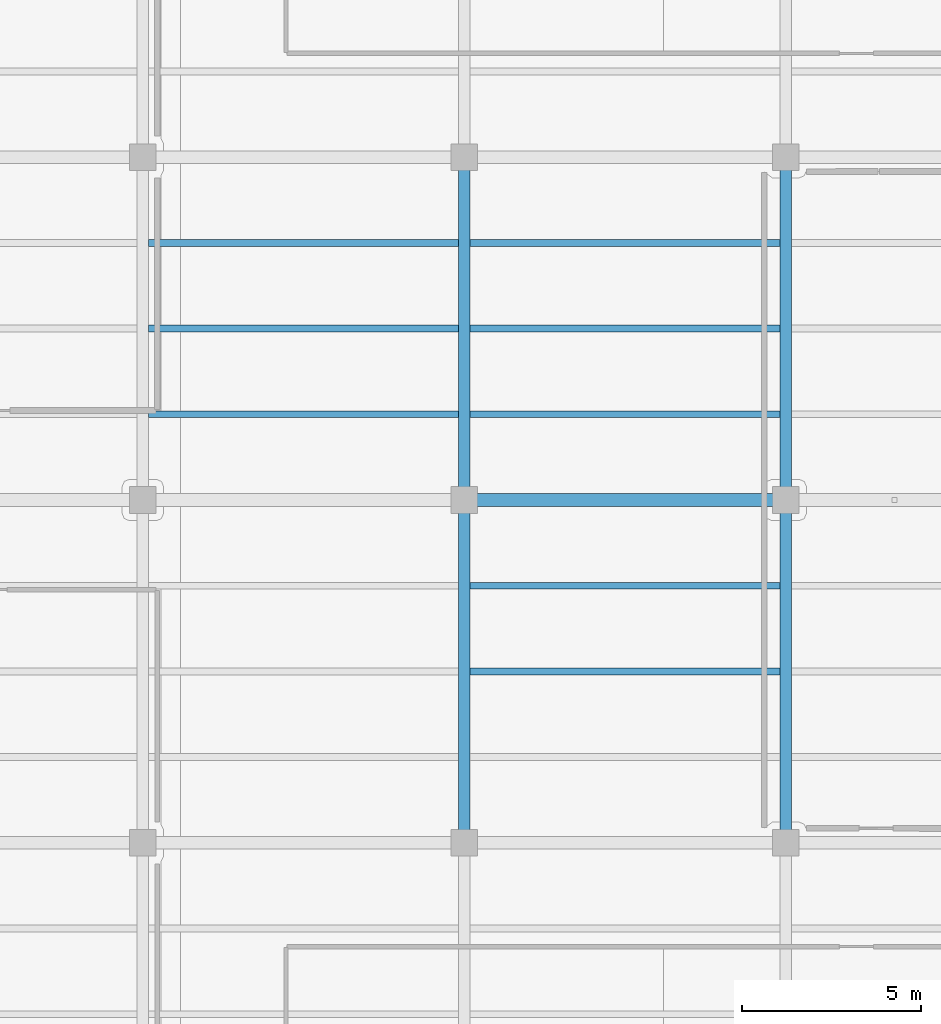
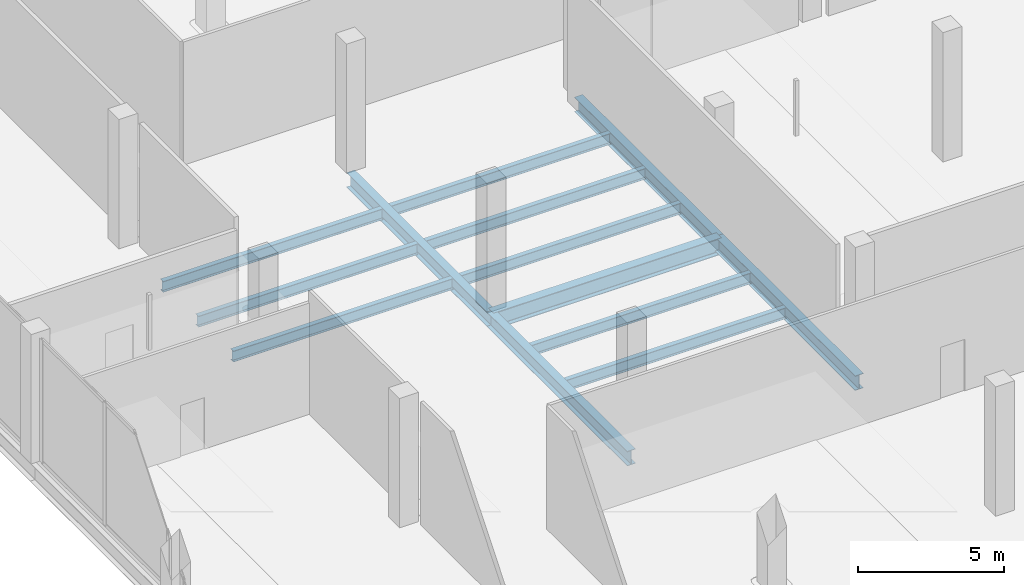
# One storey, part 10 of 47: 13 beams.
"""IFC4 building model written with IfcOpenShell, lengths in metres."""

from ifc_helpers import new_model, si_unit, direction, frame, origin, origin_2d, place, context, subcontext, project, spatial, i_section, extrude, material, material_profile, profile_set, type_object, element, save


model = new_model("IFC4")

# Units and contexts
model_context = context("Model", 3, precision=1e-05, world=origin(), true_north=direction((0.0, 1.0)))
body_context = subcontext(model_context, "Body", "Model", "MODEL_VIEW")
ifc_project = project(units=[si_unit("LENGTHUNIT", "METRE"), si_unit("AREAUNIT", "SQUARE_METRE"), si_unit("VOLUMEUNIT", "CUBIC_METRE"), si_unit("PLANEANGLEUNIT", "RADIAN"), si_unit("MASSUNIT", "GRAM", prefix="KILO")], contexts=[model_context])

# Site, building, storey
site_placement = place(None, origin())
site = spatial("IfcSite", under=ifc_project, at=site_placement, CompositionType="ELEMENT")
building_placement = place(site_placement, origin())
building = spatial("IfcBuilding", under=site, at=building_placement, Name="Qorvath Tower", CompositionType="ELEMENT")
storey_placement = place(building_placement, frame((0.0, 0.0, 6.60009765625)))
storey = spatial("IfcBuildingStorey", under=building, at=storey_placement, Name="L01", CompositionType="ELEMENT", Elevation=6.60009765625)

# Beams
ifc_material_1 = material(Name="Steel ASTM A992 Grade 50", Category="steel")
ifc_material_profile_1 = material_profile(ifc_material_1, i_section(OverallWidth=0.35595703125, OverallDepth=0.696044921875, WebThickness=0.015380859375, FlangeThickness=0.02490234375, FilletRadius=0.01806640625, at=origin_2d()), Name="W27x146")
ifc_profile_set_1 = profile_set([ifc_material_profile_1], Name="Steel ASTM A992 Grade 50")
beam_type_1 = type_object("IfcBeamType", Name="BM-FG4", PredefinedType="BEAM", material=ifc_profile_set_1)
beam_placement = place(storey_placement, frame((50.39990234375, 0.0, -0.60791015625), z_axis=(1.0, 0.0, 0.0), x_axis=(0.0, 1.0, 0.0)))
element("IfcBeam", 1, at=beam_placement, inside=storey, type_object=beam_type_1, Name="Library E-W Girder L01-5-3", PredefinedType="BEAM", context=body_context, shape_type="SweptSolid", body=[
    extrude(i_section(OverallWidth=0.35595703125, OverallDepth=0.696044921875, WebThickness=0.015380859375, FlangeThickness=0.02490234375, FilletRadius=0.01806640625, at=origin_2d()), origin(), (0.0, 0.0, 1.0), 9.0),
])
ifc_material_2 = material(Name="Steel ASTM A992 Grade 50", Category="steel")
ifc_material_profile_2 = material_profile(ifc_material_2, i_section(OverallWidth=0.324951171875, OverallDepth=0.615966796875, WebThickness=0.013916015625, FlangeThickness=0.021484375, FilletRadius=0.01611328125, at=origin_2d()), Name="W24x117")
ifc_profile_set_2 = profile_set([ifc_material_profile_2], Name="Steel ASTM A992 Grade 50")
beam_type_2 = type_object("IfcBeamType", Name="BM-FG5", PredefinedType="BEAM", material=ifc_profile_set_2)
for number, where, z_axis, x_axis, name in (
    (2, (50.39990234375, -9.60009765625, -0.568115234375), (0.0, 1.0, 0.0), (-1.0, 0.0, 0.0), "Library N-S Girder L01-3-4"),
    (3, (50.39990234375, 0.0, -0.568115234375), (0.0, 1.0, 0.0), (-1.0, 0.0, 0.0), "Library N-S Girder L01-3-5"),
    (4, (59.39990234375, -9.60009765625, -0.568115234375), (0.0, 1.0, 0.0), (-1.0, 0.0, 0.0), "Library N-S Girder L01-4-4"),
    (5, (59.39990234375, 0.0, -0.568115234375), (0.0, 1.0, 0.0), (-1.0, 0.0, 0.0), "Library N-S Girder L01-4-5"),
):
    element("IfcBeam", number, at=place(storey_placement, frame(where, z_axis=z_axis, x_axis=x_axis)), inside=storey, type_object=beam_type_2, Name=name, PredefinedType="BEAM", context=body_context, shape_type="SweptSolid", body=[
        extrude(i_section(OverallWidth=0.324951171875, OverallDepth=0.615966796875, WebThickness=0.013916015625, FlangeThickness=0.021484375, FilletRadius=0.01611328125, at=origin_2d()), origin(), (0.0, 0.0, 1.0), 9.60009765625),
    ])
ifc_material_3 = material(Name="Steel ASTM A992 Grade 50", Category="steel")
ifc_material_profile_3 = material_profile(ifc_material_3, i_section(OverallWidth=0.18994140625, OverallDepth=0.45703125, WebThickness=0.009033203125, FlangeThickness=0.014404296875, FilletRadius=0.011962890625, at=origin_2d()), Name="W18x50")
ifc_profile_set_3 = profile_set([ifc_material_profile_3], Name="Steel ASTM A992 Grade 50")
beam_type_3 = type_object("IfcBeamType", Name="BM-FJ2", PredefinedType="JOIST", material=ifc_profile_set_3)
for number, where, z_axis, x_axis, name in (
    (6, (50.560546875, -4.800048828125, -0.488525390625), (1.0, 0.0, 0.0), (0.0, 1.0, 0.0), "Library Stack Joist L01-4.2-3"),
    (7, (50.560546875, -2.39990234375, -0.488525390625), (1.0, 0.0, 0.0), (0.0, 1.0, 0.0), "Library Stack Joist L01-4.3-3"),
    (8, (41.560546875, 2.39990234375, -0.488525390625), (1.0, 0.0, 0.0), (0.0, 1.0, 0.0), "Library Stack Joist L01-5.1-2"),
    (9, (50.560546875, 2.39990234375, -0.488525390625), (1.0, 0.0, 0.0), (0.0, 1.0, 0.0), "Library Stack Joist L01-5.1-3"),
    (10, (41.560546875, 4.800048828125, -0.488525390625), (1.0, 0.0, 0.0), (0.0, 1.0, 0.0), "Library Stack Joist L01-5.2-2"),
    (11, (50.560546875, 4.800048828125, -0.488525390625), (1.0, 0.0, 0.0), (0.0, 1.0, 0.0), "Library Stack Joist L01-5.2-3"),
    (12, (41.560546875, 7.199951171875, -0.488525390625), (1.0, 0.0, 0.0), (0.0, 1.0, 0.0), "Library Stack Joist L01-5.3-2"),
    (13, (50.560546875, 7.199951171875, -0.488525390625), (1.0, 0.0, 0.0), (0.0, 1.0, 0.0), "Library Stack Joist L01-5.3-3"),
):
    element("IfcBeam", number, at=place(storey_placement, frame(where, z_axis=z_axis, x_axis=x_axis)), inside=storey, type_object=beam_type_3, Name=name, PredefinedType="JOIST", context=body_context, shape_type="SweptSolid", body=[
        extrude(i_section(OverallWidth=0.18994140625, OverallDepth=0.45703125, WebThickness=0.009033203125, FlangeThickness=0.014404296875, FilletRadius=0.011962890625, at=origin_2d()), origin(), (0.0, 0.0, 1.0), 8.678955078125),
    ])

save(model, "model.ifc")
